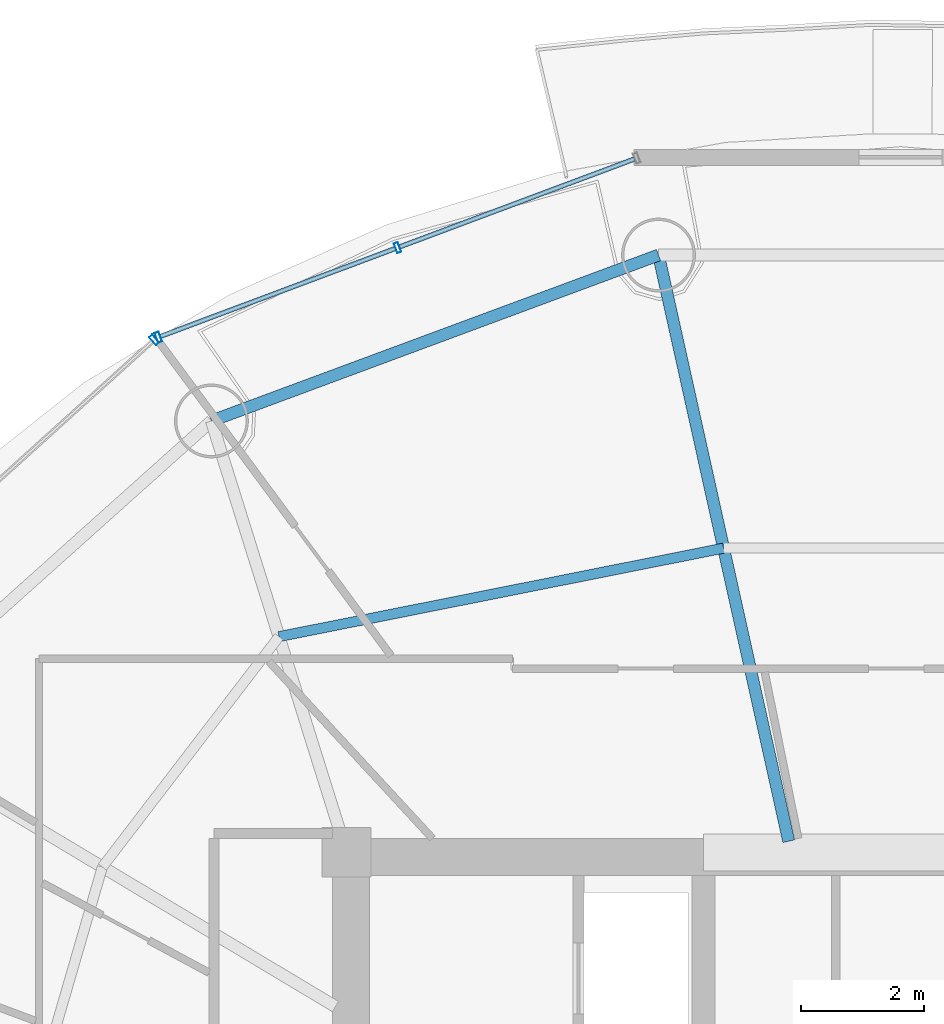
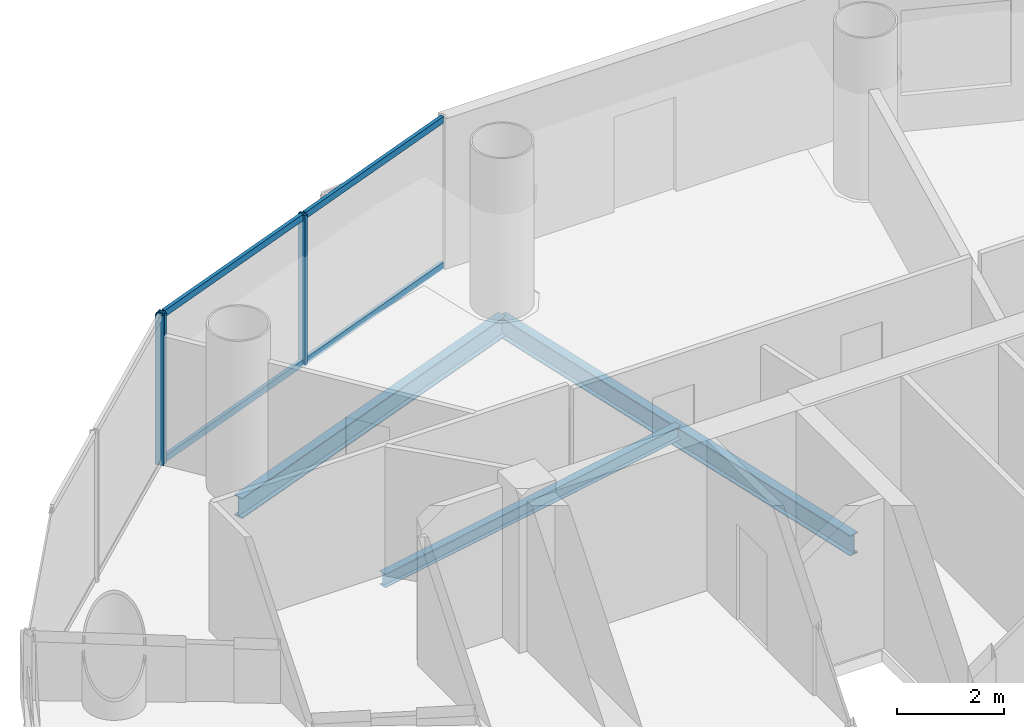
# One storey, part 15 of 26: 7 members, 3 beams, 2 elements without a shape of their own.
"""IFC4 building model written with IfcOpenShell, lengths in metres."""

from ifc_helpers import new_model, si_unit, direction, frame, origin, origin_2d, place, context, subcontext, project, spatial, hollow_rectangle, i_section, extrude, source, transform, mapped, material, material_profile, profile_set, type_object, element, aggregate, save


model = new_model("IFC4")

# Units and contexts
model_context = context("Model", 3, precision=1e-05, world=origin(), true_north=direction((-0.2419218956, 0.970295726276)))
body_context = subcontext(model_context, "Body", "Model", "MODEL_VIEW")
ifc_project = project(units=[si_unit("LENGTHUNIT", "METRE"), si_unit("AREAUNIT", "SQUARE_METRE"), si_unit("VOLUMEUNIT", "CUBIC_METRE"), si_unit("PLANEANGLEUNIT", "RADIAN"), si_unit("MASSUNIT", "GRAM", prefix="KILO")], contexts=[model_context])

# Site, building, storey
site_placement = place(None, origin())
site = spatial("IfcSite", under=ifc_project, at=site_placement, CompositionType="ELEMENT")
building_placement = place(site_placement, origin())
building = spatial("IfcBuilding", under=site, at=building_placement, Name="Cobrevalo Terracotta Tower", CompositionType="ELEMENT")
storey_placement = place(building_placement, frame((0.0, 0.0, 213.39990234375)))
storey = spatial("IfcBuildingStorey", under=building, at=storey_placement, Name="L56", CompositionType="ELEMENT", Elevation=213.39990234375)

# Beams
ifc_material_1 = material(Name="Steel S355", Category="steel")
ifc_material_profile_1 = material_profile(ifc_material_1, i_section(OverallWidth=0.194091796875, OverallDepth=0.468994140625, WebThickness=0.011474609375, FlangeThickness=0.0205078125, at=origin_2d()), Name="W 460x106")
ifc_profile_set_1 = profile_set([ifc_material_profile_1], Name="Steel S355")
beam_type_1 = type_object("IfcBeamType", Name="Structural Beam W 460x106 (Steel S355)", PredefinedType="BEAM", material=ifc_profile_set_1)
beam_1_placement = place(storey_placement, frame((34.06884765625, 44.503173828125, -0.49951171875), z_axis=(0.216782061165, -0.976220025382, 0.0), x_axis=(0.976220025382, 0.216782061165, 0.0)))
element("IfcBeam", 1, at=beam_1_placement, inside=storey, type_object=beam_type_1, Name="L56 radial floor girder 05", PredefinedType="BEAM", context=body_context, shape_type="SweptSolid", body=[
    extrude(i_section(OverallWidth=0.194091796875, OverallDepth=0.468994140625, WebThickness=0.011474609375, FlangeThickness=0.0205078125, at=origin_2d()), origin(), (0.0, 0.0, 1.0), 9.755126953125),
])
ifc_material_profile_2 = material_profile(ifc_material_1, i_section(OverallWidth=0.1650390625, OverallDepth=0.31005859375, WebThickness=0.005859375, FlangeThickness=0.009765625, at=origin_2d()), Name="W 310x38.7")
ifc_profile_set_2 = profile_set([ifc_material_profile_2], Name="Steel S355")
beam_type_2 = type_object("IfcBeamType", Name="Structural Joist W 310x38.7 (Steel S355)", PredefinedType="JOIST", material=ifc_profile_set_2)
beam_2_placement = place(storey_placement, frame((35.126220703125, 39.74169921875, -0.419921875), z_axis=(-0.980762562197, -0.195204499418, 0.0), x_axis=(0.195204499418, -0.980762562197, 0.0)))
element("IfcBeam", 2, at=beam_2_placement, inside=storey, type_object=beam_type_2, Name="L56 circumferential secondary floor joist 05", PredefinedType="JOIST", context=body_context, shape_type="SweptSolid", body=[
    extrude(i_section(OverallWidth=0.1650390625, OverallDepth=0.31005859375, WebThickness=0.005859375, FlangeThickness=0.009765625, at=origin_2d()), origin(), (0.0, 0.0, 1.0), 7.365234375),
])
ifc_material_profile_3 = material_profile(ifc_material_1, i_section(OverallWidth=0.194091796875, OverallDepth=0.468994140625, WebThickness=0.011474609375, FlangeThickness=0.0205078125, at=origin_2d()), Name="W 460x106")
ifc_profile_set_3 = profile_set([ifc_material_profile_3], Name="Steel S355")
beam_type_3 = type_object("IfcBeamType", Name="Structural Spandrel W 460x106 (Steel S355)", PredefinedType="SPANDREL", material=ifc_profile_set_3)
beam_3_placement = place(storey_placement, frame((34.06884765625, 44.503173828125, -0.49951171875), z_axis=(-0.937545996665, -0.347861328892, 0.0), x_axis=(0.347861328892, -0.937545996665, 0.0)))
element("IfcBeam", 3, at=beam_3_placement, inside=storey, type_object=beam_type_3, Name="L56 perimeter ring spandrel 05", PredefinedType="SPANDREL", context=body_context, shape_type="SweptSolid", body=[
    extrude(i_section(OverallWidth=0.194091796875, OverallDepth=0.468994140625, WebThickness=0.011474609375, FlangeThickness=0.0205078125, at=origin_2d()), origin(), (0.0, 0.0, 1.0), 7.74755859375),
])

# Curtain wall, members
ifc_material_2 = material(Name="Anodized aluminium", Category="aluminium")
curtain_wall_type = type_object("IfcCurtainWallType", Name="Mid-tower high-wind unitised curtain wall CW-U2", PredefinedType="NOTDEFINED", material=ifc_material_2)
curtain_wall_1_placement = place(storey_placement, origin())
curtain_wall_1 = element("IfcCurtainWall", 4, at=curtain_wall_1_placement, inside=storey, type_object=curtain_wall_type, Name="L56 curtain wall CW-L56-S05", PredefinedType="NOTDEFINED")
ifc_material_profile_4 = material_profile(ifc_material_2, hollow_rectangle(XDim=0.074951171875, YDim=0.14990234375, WallThickness=0.00439453125, at=origin_2d()), Name="CWT 75x150")
ifc_profile_set_4 = profile_set([ifc_material_profile_4], Name="Anodized aluminium")
member_type_1 = type_object("IfcMemberType", Name="Tower unitised aluminium transom 75x150", PredefinedType="USERDEFINED", material=ifc_profile_set_4)
shared_shape_1 = source(origin(), body_context, "Body", "SweptSolid", [
    extrude(hollow_rectangle(XDim=0.074951171875, YDim=0.14990234375, WallThickness=0.00439453125, at=origin_2d()), origin(), (0.0, 0.0, 1.0), 4.069580078125),
])
member_1_placement = place(storey_placement, frame((29.79150390625, 44.609619140625, 0.050048828125), z_axis=(-0.936548420649, -0.350538237259, 0.0), x_axis=(0.350538237259, -0.936548420649, 0.0)))
member_1 = element("IfcMember", 5, at=member_1_placement, type_object=member_type_1, Name="CW-L56-S05 transom B02-T1", ObjectType="TRANSOM", PredefinedType="USERDEFINED", context=body_context, shape_type="MappedRepresentation", body=[
    mapped(shared_shape_1, transform((0.0, 0.0, 0.0), scale=1.0)),
])
member_2_placement = place(storey_placement, frame((29.79150390625, 44.609619140625, 3.385009765625), z_axis=(-0.936548420649, -0.350538237259, 0.0), x_axis=(0.350538237259, -0.936548420649, 0.0)))
member_2 = element("IfcMember", 6, at=member_2_placement, type_object=member_type_1, Name="CW-L56-S05 transom B02-T2", ObjectType="TRANSOM", PredefinedType="USERDEFINED", context=body_context, shape_type="MappedRepresentation", body=[
    mapped(shared_shape_1, transform((0.0, 0.0, 0.0), scale=1.0)),
])
shared_shape_2 = source(origin(), body_context, "Body", "SweptSolid", [
    extrude(hollow_rectangle(XDim=0.074951171875, YDim=0.14990234375, WallThickness=0.00439453125, at=origin_2d()), origin(), (0.0, 0.0, 1.0), 4.06982421875),
])
member_3_placement = place(storey_placement, frame((33.677978515625, 46.06396484375, 0.050048828125), z_axis=(-0.936555791772, -0.350518542873, 0.0), x_axis=(0.350518542873, -0.936555791772, 0.0)))
member_3 = element("IfcMember", 7, at=member_3_placement, type_object=member_type_1, Name="CW-L56-S05 transom B01-T1", ObjectType="TRANSOM", PredefinedType="USERDEFINED", context=body_context, shape_type="MappedRepresentation", body=[
    mapped(shared_shape_2, transform((0.0, 0.0, 0.0), scale=1.0)),
])
member_4_placement = place(storey_placement, frame((33.677978515625, 46.06396484375, 3.385009765625), z_axis=(-0.936555791772, -0.350518542873, 0.0), x_axis=(0.350518542873, -0.936555791772, 0.0)))
member_4 = element("IfcMember", 8, at=member_4_placement, type_object=member_type_1, Name="CW-L56-S05 transom B01-T2", ObjectType="TRANSOM", PredefinedType="USERDEFINED", context=body_context, shape_type="MappedRepresentation", body=[
    mapped(shared_shape_2, transform((0.0, 0.0, 0.0), scale=1.0)),
])
ifc_material_profile_5 = material_profile(ifc_material_2, hollow_rectangle(XDim=0.070068359375, YDim=0.169921875, WallThickness=0.00439453125, at=origin_2d()), Name="CWM 70x170")
ifc_profile_set_5 = profile_set([ifc_material_profile_5], Name="Anodized aluminium")
member_type_2 = type_object("IfcMemberType", Name="Upper tower unitised mullion 70x170", PredefinedType="MULLION", material=ifc_profile_set_5)
shared_shape_3 = source(origin(), body_context, "Body", "SweptSolid", [
    extrude(hollow_rectangle(XDim=0.070068359375, YDim=0.169921875, WallThickness=0.00439453125, at=origin_2d()), origin(), (0.0, 0.0, 1.0), 3.43505859375),
])
member_5_placement = place(storey_placement, frame((29.8291015625, 44.62353515625, 0.0), z_axis=(0.0, 0.0, 1.0), x_axis=(-0.936556004584, -0.350517974259, 0.0)))
member_5 = element("IfcMember", 9, at=member_5_placement, type_object=member_type_2, Name="CW-L56-S05 vertical mullion 02", PredefinedType="MULLION", context=body_context, shape_type="MappedRepresentation", body=[
    mapped(shared_shape_3, transform((0.0, 0.0, 0.0), scale=1.0)),
])
member_6_placement = place(storey_placement, frame((25.942626953125, 43.1689453125, 0.0), z_axis=(0.0, 0.0, 1.0), x_axis=(-0.936556004584, -0.350517974259, 0.0)))
member_6 = element("IfcMember", 10, at=member_6_placement, type_object=member_type_2, Name="CW-L56-S05 vertical mullion 03", PredefinedType="MULLION", context=body_context, shape_type="MappedRepresentation", body=[
    mapped(shared_shape_3, transform((0.0, 0.0, 0.0), scale=1.0)),
])
aggregate(curtain_wall_1, [member_5, member_6, member_3, member_4, member_1, member_2])

# Curtain wall, member
curtain_wall_2_placement = place(storey_placement, origin())
curtain_wall_2 = element("IfcCurtainWall", 11, at=curtain_wall_2_placement, inside=storey, type_object=curtain_wall_type, Name="L56 curtain wall CW-L56-S06", PredefinedType="NOTDEFINED")
member_7_placement = place(storey_placement, frame((25.87548828125, 43.128173828125, 0.0), z_axis=(0.0, 0.0, 1.0), x_axis=(-0.741987542015, -0.670413668935, 0.0)))
member_7 = element("IfcMember", 12, at=member_7_placement, type_object=member_type_2, Name="CW-L56-S06 vertical mullion 01", PredefinedType="MULLION", context=body_context, shape_type="MappedRepresentation", body=[
    mapped(shared_shape_3, transform((0.0, 0.0, 0.0), scale=1.0)),
])
aggregate(curtain_wall_2, [member_7])

save(model, "model.ifc")
